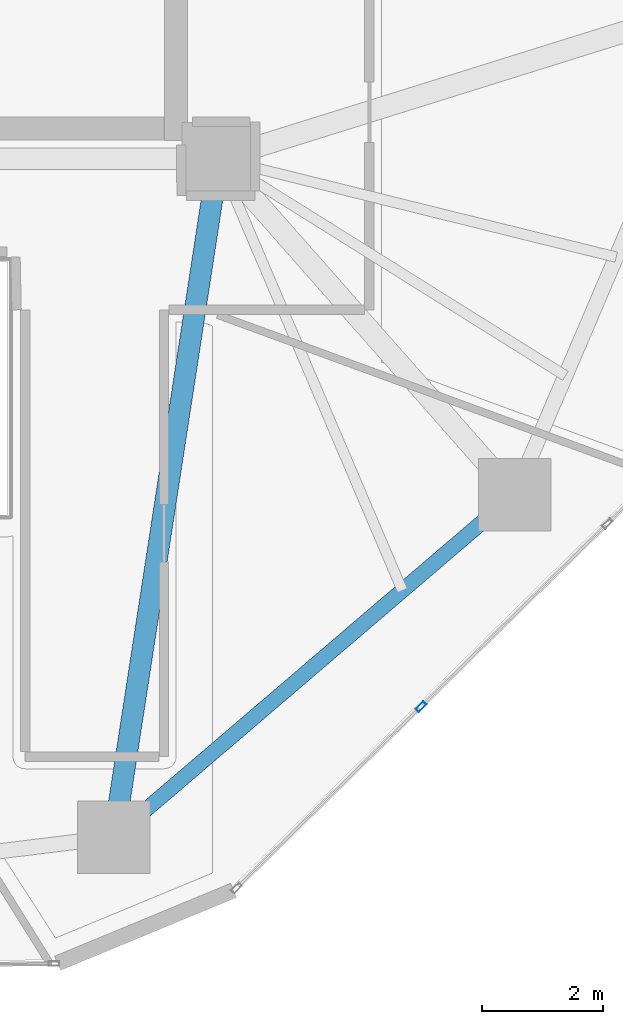
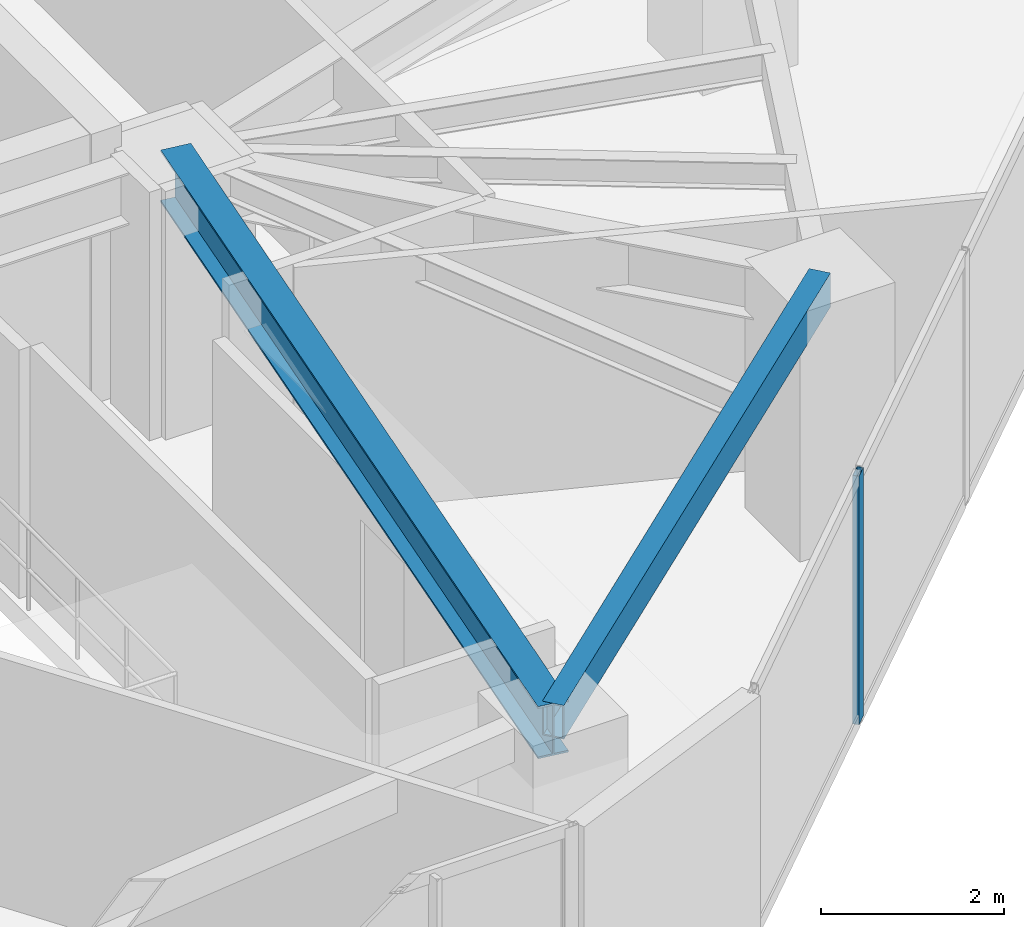
# One storey, part 7 of 21: 2 beams, 1 member, 1 element without a shape of its own.
"""IFC4 building model written with IfcOpenShell, lengths in metres."""

from ifc_helpers import new_model, si_unit, direction, frame, origin, origin_2d, place, context, subcontext, project, spatial, hollow_rectangle, i_section, extrude, source, transform, mapped, material, layer, layer_set, material_profile, profile_set, type_object, type_shapes, element, aggregate, save


model = new_model("IFC4")

# Units and contexts
model_context = context("Model", 3, precision=1e-05, world=origin(), true_north=direction((0.0, 1.0)))
body_context = subcontext(model_context, "Body", "Model", "MODEL_VIEW")
ifc_project = project(units=[si_unit("LENGTHUNIT", "METRE"), si_unit("AREAUNIT", "SQUARE_METRE"), si_unit("VOLUMEUNIT", "CUBIC_METRE"), si_unit("PLANEANGLEUNIT", "RADIAN"), si_unit("MASSUNIT", "GRAM", prefix="KILO")], contexts=[model_context])

# Site, building, storey
site_placement = place(None, origin())
site = spatial("IfcSite", under=ifc_project, at=site_placement, CompositionType="ELEMENT")
building_placement = place(site_placement, origin())
building = spatial("IfcBuilding", under=site, at=building_placement, Name="Talar Marvaseh", CompositionType="ELEMENT")
storey_placement = place(building_placement, frame((0.0, 0.0, 93.0)))
storey = spatial("IfcBuildingStorey", under=building, at=storey_placement, Name="L23", CompositionType="ELEMENT", Elevation=93.0)

# Beams
ifc_material_1 = material(Name="Steel S355", Category="steel")
ifc_material_profile_1 = material_profile(ifc_material_1, hollow_rectangle(XDim=0.25, YDim=0.449951171875, WallThickness=0.01611328125, at=origin_2d()), Name="RHS450x250x16")
ifc_profile_set_1 = profile_set([ifc_material_profile_1], Name="Steel S355")
beam_type_1 = type_object("IfcBeamType", Name="Zone 2 Perimeter Spandrel Beam RHS450x250x16", PredefinedType="SPANDREL", material=ifc_profile_set_1)
beam_1_placement = place(storey_placement, frame((38.2060546875, 19.94091796875, 3.0849609375), z_axis=(-0.76011265597, -0.649791312833, 0.0), x_axis=(0.649791312833, -0.76011265597, 0.0)))
element("IfcBeam", 1, at=beam_1_placement, inside=storey, type_object=beam_type_1, Name="L23 Zone 2 Perimeter Spandrel Beam RHS450x250x16", PredefinedType="SPANDREL", context=body_context, shape_type="SweptSolid", body=[
    extrude(hollow_rectangle(XDim=0.25, YDim=0.449951171875, WallThickness=0.01611328125, at=origin_2d()), origin(), (0.0, 0.0, 1.0), 8.730224609375),
])
ifc_material_profile_2 = material_profile(ifc_material_1, i_section(OverallWidth=0.35498046875, OverallDepth=0.695068359375, WebThickness=0.015380859375, FlangeThickness=0.02490234375, at=origin_2d()), Name="W690x217")
ifc_profile_set_2 = profile_set([ifc_material_profile_2], Name="Steel S355")
beam_type_2 = type_object("IfcBeamType", Name="Zone 2 Radial Floor Girder W690x217", PredefinedType="BEAM", material=ifc_profile_set_2)
beam_2_placement = place(storey_placement, frame((31.570068359375, 14.26806640625, 2.96240234375), z_axis=(0.152228300633, 0.98834535689, 0.0), x_axis=(-0.98834535689, 0.152228300633, 0.0)))
element("IfcBeam", 2, at=beam_2_placement, inside=storey, type_object=beam_type_2, Name="L23 Zone 2 Radial Floor Girder W690x217", PredefinedType="BEAM", context=body_context, shape_type="SweptSolid", body=[
    extrude(i_section(OverallWidth=0.35498046875, OverallDepth=0.695068359375, WebThickness=0.015380859375, FlangeThickness=0.02490234375, at=origin_2d()), origin(), (0.0, 0.0, 1.0), 11.364501953125),
])

# Curtain wall, member
ifc_material_2 = material(Name="Architectural Aluminium", Category="aluminium")
ifc_layer = layer(ifc_material_2, 0.199951171875)
ifc_layer_set = layer_set([ifc_layer], Name="Architectural Aluminium")
curtain_wall_type = type_object("IfcCurtainWallType", Name="Unitised Acoustic Library Curtain Wall Z2", PredefinedType="NOTDEFINED", material=ifc_layer_set)
curtain_wall_placement = place(storey_placement, origin())
curtain_wall = element("IfcCurtainWall", 3, at=curtain_wall_placement, inside=storey, type_object=curtain_wall_type, Name="L23 Unitised Acoustic Library Curtain Wall Z2", PredefinedType="NOTDEFINED")
ifc_material_profile_3 = material_profile(ifc_material_2, hollow_rectangle(XDim=0.074951171875, YDim=0.179931640625, WallThickness=0.0048828125, at=origin_2d()), Name="RHS180x75x5")
ifc_profile_set_3 = profile_set([ifc_material_profile_3], Name="Architectural Aluminium")
member_type = type_object("IfcMemberType", Name="Unitised Curtain Wall Standard Mullion RHS180x75x5", PredefinedType="MULLION", material=ifc_profile_set_3)
shared_shape = source(origin(), body_context, "Body", "SweptSolid", [
    extrude(hollow_rectangle(XDim=0.074951171875, YDim=0.179931640625, WallThickness=0.0048828125, at=origin_2d()), origin(), (0.0, 0.0, 1.0), 3.31005859375),
])
type_shapes(member_type, [shared_shape])
member_placement = place(storey_placement, frame((36.6572265625, 16.42822265625, 0.0), z_axis=(0.0, 0.0, 1.0), x_axis=(0.700796979423, -0.713360773825, 0.0)))
member = element("IfcMember", 4, at=member_placement, type_object=member_type, Name="CW-Z2 mullion 5", PredefinedType="MULLION", context=body_context, shape_type="MappedRepresentation", body=[
    mapped(shared_shape, transform((0.0, 0.0, 0.0), x_axis=(1.0, 0.0, 0.0), y_axis=(0.0, 1.0, 0.0), z_axis=(0.0, 0.0, 1.0), scale=1.0)),
])
aggregate(curtain_wall, [member])

save(model, "model.ifc")
